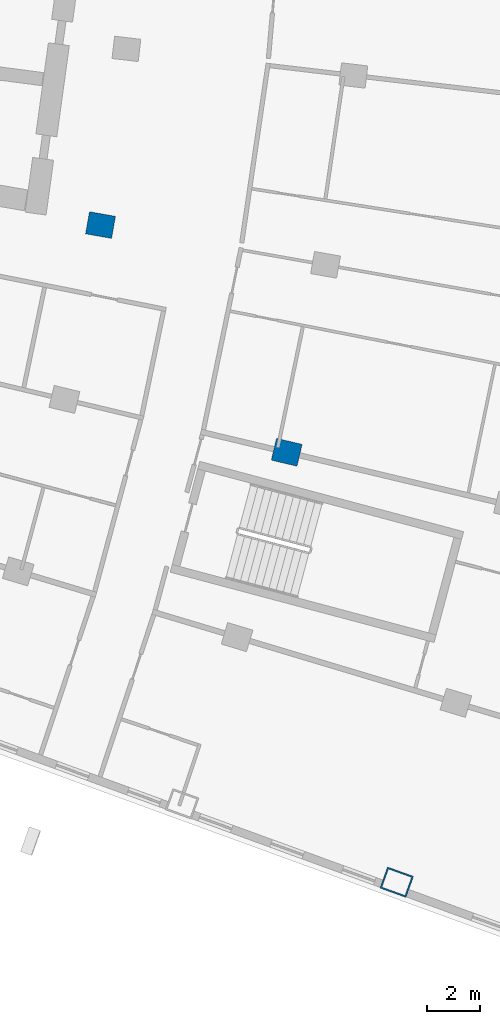
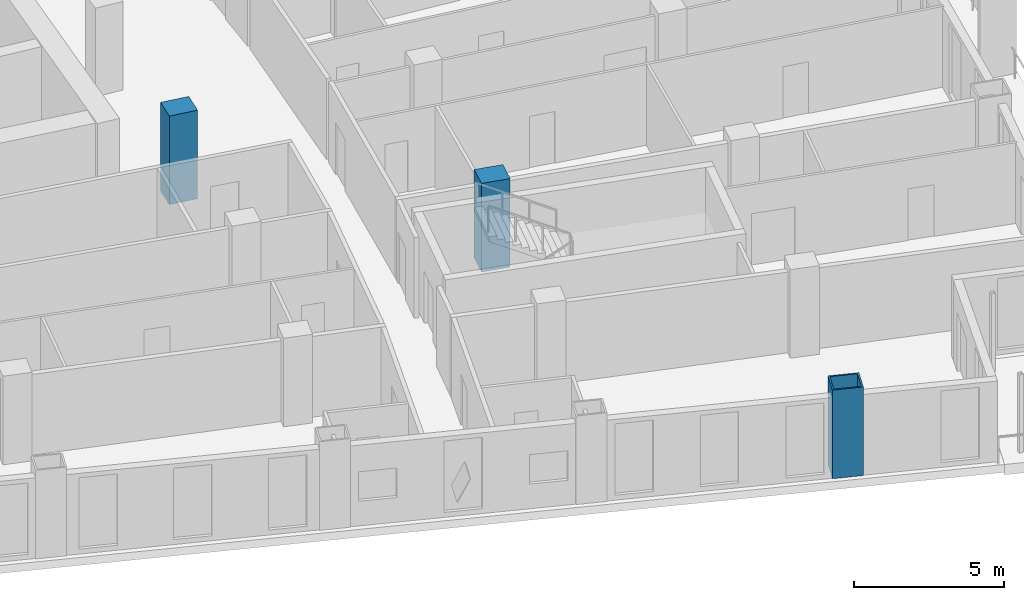
# One storey, part 4 of 25: 3 columns.
"""IFC4 building model written with IfcOpenShell, lengths in metres."""

from ifc_helpers import new_model, si_unit, direction, frame, origin, origin_2d, place, context, subcontext, project, spatial, rectangle, hollow_rectangle, extrude, material, material_profile, profile_set, type_object, element, save


model = new_model("IFC4")

# Units and contexts
model_context = context("Model", 3, precision=1e-05, world=origin(), true_north=direction((0.0, 1.0)))
body_context = subcontext(model_context, "Body", "Model", "MODEL_VIEW")
ifc_project = project(units=[si_unit("LENGTHUNIT", "METRE"), si_unit("AREAUNIT", "SQUARE_METRE"), si_unit("VOLUMEUNIT", "CUBIC_METRE"), si_unit("PLANEANGLEUNIT", "RADIAN"), si_unit("MASSUNIT", "GRAM", prefix="KILO")], contexts=[model_context])

# Site, building, storey
site_placement = place(None, origin())
site = spatial("IfcSite", under=ifc_project, at=site_placement, CompositionType="ELEMENT")
building_placement = place(site_placement, origin())
building = spatial("IfcBuilding", under=site, at=building_placement, Name="Alderwake Tower", CompositionType="ELEMENT")
storey_placement = place(building_placement, frame((0.0, 0.0, 89.60009765625)))
storey = spatial("IfcBuildingStorey", under=building, at=storey_placement, Name="L21", CompositionType="ELEMENT", Elevation=89.60009765625)

# Columns
ifc_material_1 = material(Name="Steel ASTM A572 Grade 50 concrete filled C70/85", Category="concrete")
ifc_material_profile_1 = material_profile(ifc_material_1, hollow_rectangle(XDim=0.85009765625, YDim=1.050048828125, WallThickness=0.06005859375, at=origin_2d()), Name="BOX 1050X850X60")
ifc_profile_set_1 = profile_set([ifc_material_profile_1], Name="Steel ASTM A572 Grade 50 concrete filled C70/85")
column_type_1 = type_object("IfcColumnType", Name="End column Z2", PredefinedType="COLUMN", material=ifc_profile_set_1)
column_placement = place(storey_placement, frame((45.266357421875, 15.9130859375, 0.0), z_axis=(0.0, 0.0, 1.0), x_axis=(0.338660738209, 0.940908552621, 0.0)))
element("IfcColumn", 1, at=column_placement, inside=storey, type_object=column_type_1, Name="Column R01-C4", PredefinedType="COLUMN", context=body_context, shape_type="SweptSolid", body=[
    extrude(hollow_rectangle(XDim=0.85009765625, YDim=1.050048828125, WallThickness=0.06005859375, at=origin_2d()), origin(), (0.0, 0.0, 1.0), 3.599853515625),
])
ifc_material_2 = material(Name="Concrete C70/85", Category="concrete")
ifc_material_profile_2 = material_profile(ifc_material_2, rectangle(XDim=0.85009765625, YDim=1.0, at=origin_2d()), Name="RC 1000X850")
ifc_profile_set_2 = profile_set([ifc_material_profile_2], Name="Concrete C70/85")
column_type_2 = type_object("IfcColumnType", Name="Interior column Z2", PredefinedType="COLUMN", material=ifc_profile_set_2)
for number, where, z_axis, x_axis, name in (
    (2, (41.09375, 32.220703125, 0.0), (0.0, 0.0, 1.0), (0.231221547198, 0.972901123502, 0.0), "Column R03-C3"),
    (3, (34.03125, 40.83837890625, 0.0), (0.0, 0.0, 1.0), (0.174108800747, 0.984726421654, 0.0), "Column R04-C2"),
):
    element("IfcColumn", number, at=place(storey_placement, frame(where, z_axis=z_axis, x_axis=x_axis)), inside=storey, type_object=column_type_2, Name=name, PredefinedType="COLUMN", context=body_context, shape_type="SweptSolid", body=[
        extrude(rectangle(XDim=0.85009765625, YDim=1.0, at=origin_2d()), origin(), (0.0, 0.0, 1.0), 3.599853515625),
    ])

save(model, "model.ifc")
